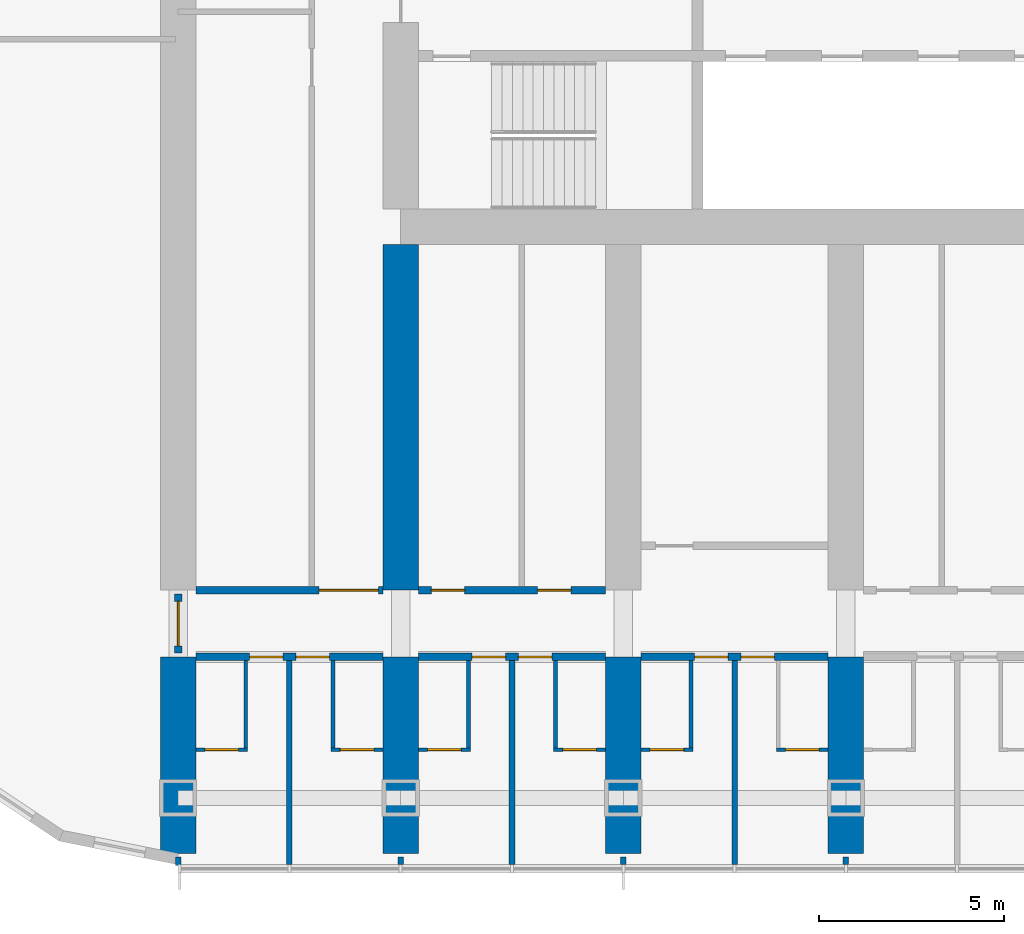
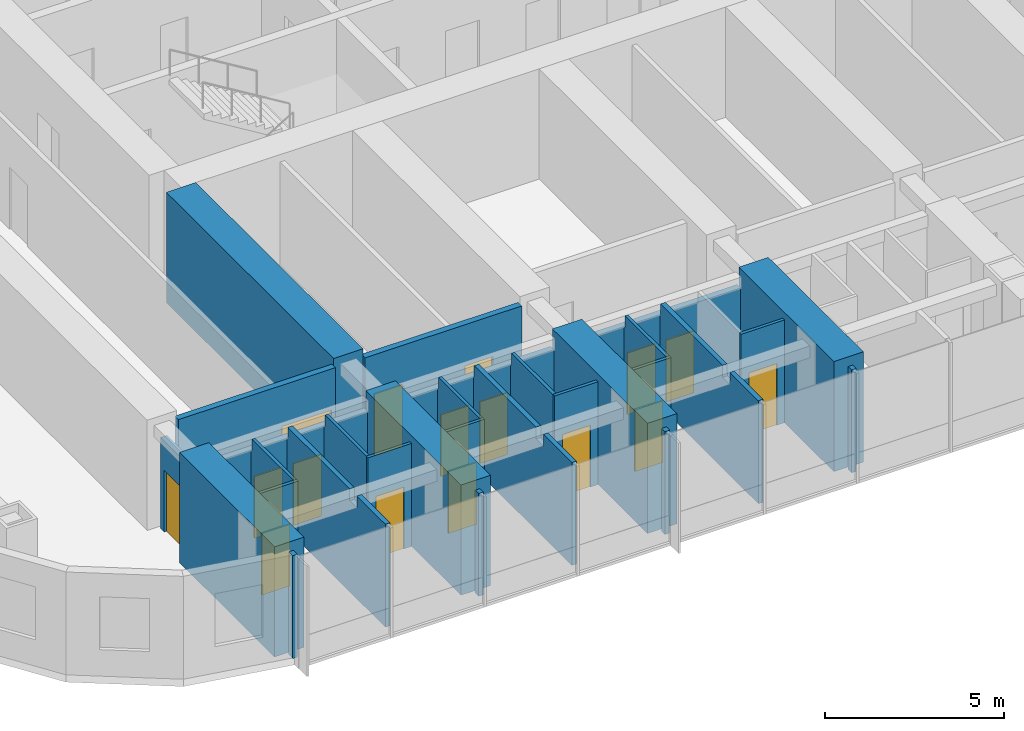
# One storey, part 8 of 21: 29 walls, 16 doors, 16 openings.
"""IFC4 building model written with IfcOpenShell, lengths in metres."""

from ifc_helpers import new_model, si_unit, direction, frame, frame_2d, origin, place, context, subcontext, project, spatial, polyline, rectangle, outline, extrude, material, layer, layer_set, type_object, element, fill, save


model = new_model("IFC4")

# Units and contexts
model_context = context("Model", 3, precision=1e-05, world=origin(), true_north=direction((0.0, 1.0)))
body_context = subcontext(model_context, "Body", "Model", "MODEL_VIEW")
ifc_project = project(units=[si_unit("LENGTHUNIT", "METRE"), si_unit("AREAUNIT", "SQUARE_METRE"), si_unit("VOLUMEUNIT", "CUBIC_METRE"), si_unit("PLANEANGLEUNIT", "RADIAN"), si_unit("MASSUNIT", "GRAM", prefix="KILO")], contexts=[model_context])

# Site, building, storey
site_placement = place(None, origin())
site = spatial("IfcSite", under=ifc_project, at=site_placement, CompositionType="ELEMENT")
building_placement = place(site_placement, origin())
building = spatial("IfcBuilding", under=site, at=building_placement, Name="Orbita Commons", CompositionType="ELEMENT")
storey_placement = place(building_placement, frame((0.0, 0.0, 88.14990234375)))
storey = spatial("IfcBuildingStorey", under=building, at=storey_placement, Name="L21", CompositionType="ELEMENT", Elevation=88.14990234375)

# Wall, openings, doors
ifc_material_1 = material(Name="Concrete blockwork", Category="masonry")
ifc_layer_1 = layer(ifc_material_1, 0.199951171875)
ifc_layer_set_1 = layer_set([ifc_layer_1], Name="Concrete blockwork")
wall_type_1 = type_object("IfcWallType", Name="Corridor wall 200 blockwork", PredefinedType="SOLIDWALL", material=ifc_layer_set_1)
wall_1_placement = place(storey_placement, frame((12.47509765625, 14.199951171875, 0.0), z_axis=(0.0, 0.0, 1.0), x_axis=(1.0, 0.0, 0.0)))
wall_1 = element("IfcWall", 1, at=wall_1_placement, inside=storey, type_object=wall_type_1, Name="Corridor wall 200 blockwork L21", PredefinedType="SOLIDWALL", context=body_context, shape_type="SweptSolid", body=[
    extrude(outline(polyline([(0.0, 0.0), (5.0498046875, 0.0), (5.050048828125, 3.10009765625), (0.0, 3.10009765625), (0.0, 0.0)])), frame((0.0, 0.10009765625, 0.0), z_axis=(0.0, -1.0, 0.0), x_axis=(1.0, 0.0, 0.0)), (0.0, 0.0, 1.0), 0.199951171875),
])
opening_1_placement = place(wall_1_placement, frame((1.449951171875, 0.0, 0.0)))
opening_1 = element("IfcOpeningElement", 2, at=opening_1_placement, cuts=wall_1, Name="Opening D11", PredefinedType="OPENING", context=body_context, shape_type="SweptSolid", body=[
    extrude(rectangle(XDim=0.89990234375, YDim=2.10009765625, at=frame_2d((0.449951171875, 1.050048828125))), frame((0.0, 0.10986328125, 0.0), z_axis=(0.0, -1.0, 0.0), x_axis=(1.0, 0.0, 0.0)), (0.0, 0.0, 1.0), 0.219970703125),
])
opening_2_placement = place(wall_1_placement, frame((2.699951171875, 0.0, 0.0)))
opening_2 = element("IfcOpeningElement", 3, at=opening_2_placement, cuts=wall_1, Name="Opening D11", PredefinedType="OPENING", context=body_context, shape_type="SweptSolid", body=[
    extrude(rectangle(XDim=0.89990234375, YDim=2.10009765625, at=frame_2d((0.449951171875, 1.050048828125))), frame((0.0, 0.10986328125, 0.0), z_axis=(0.0, -1.0, 0.0), x_axis=(1.0, 0.0, 0.0)), (0.0, 0.0, 1.0), 0.219970703125),
])
ifc_material_2 = material(Name="Steel-faced fire door leaf", Category="steel")
door_type_1 = type_object("IfcDoorType", Name="Corridor door 20 min 900x2100", OperationType="SINGLE_SWING_LEFT", PredefinedType="DOOR", material=ifc_material_2)
door_1_placement = place(opening_1_placement, origin())
door_1 = element("IfcDoor", 4, at=door_1_placement, inside=storey, type_object=door_type_1, Name="Cluster bedroom L21-S00 door", OperationType="SINGLE_SWING_LEFT", OverallHeight=2.10009765625, OverallWidth=0.89990234375, PredefinedType="DOOR", context=body_context, shape_type="SweptSolid", body=[
    extrude(rectangle(XDim=0.89990234375, YDim=2.10009765625, at=frame_2d((0.449951171875, 1.050048828125))), frame((0.0, 0.02490234375, 0.0), z_axis=(0.0, -1.0, 0.0), x_axis=(1.0, 0.0, 0.0)), (0.0, 0.0, 1.0), 0.050048828125),
])
fill(opening_1, door_1)
door_2_placement = place(opening_2_placement, origin())
door_2 = element("IfcDoor", 5, at=door_2_placement, inside=storey, type_object=door_type_1, Name="Cluster bedroom L21-S01 door", OperationType="SINGLE_SWING_LEFT", OverallHeight=2.10009765625, OverallWidth=0.89990234375, PredefinedType="DOOR", context=body_context, shape_type="SweptSolid", body=[
    extrude(rectangle(XDim=0.89990234375, YDim=2.10009765625, at=frame_2d((0.449951171875, 1.050048828125))), frame((0.0, 0.02490234375, 0.0), z_axis=(0.0, -1.0, 0.0), x_axis=(1.0, 0.0, 0.0)), (0.0, 0.0, 1.0), 0.050048828125),
])
fill(opening_2, door_2)

wall_2_placement = place(storey_placement, frame((18.47509765625, 14.199951171875, 0.0), z_axis=(0.0, 0.0, 1.0), x_axis=(1.0, 0.0, 0.0)))
wall_2 = element("IfcWall", 6, at=wall_2_placement, inside=storey, type_object=wall_type_1, Name="Corridor wall 200 blockwork L21", PredefinedType="SOLIDWALL", context=body_context, shape_type="SweptSolid", body=[
    extrude(outline(polyline([(0.0, 0.0), (5.0498046875, 0.0), (5.050048828125, 3.10009765625), (0.0, 3.10009765625), (0.0, 0.0)])), frame((0.0, 0.10009765625, 0.0), z_axis=(0.0, -1.0, 0.0), x_axis=(1.0, 0.0, 0.0)), (0.0, 0.0, 1.0), 0.199951171875),
])
opening_3_placement = place(wall_2_placement, frame((1.449951171875, 0.0, 0.0)))
opening_3 = element("IfcOpeningElement", 7, at=opening_3_placement, cuts=wall_2, Name="Opening D11", PredefinedType="OPENING", context=body_context, shape_type="SweptSolid", body=[
    extrude(rectangle(XDim=0.89990234375, YDim=2.10009765625, at=frame_2d((0.449951171875, 1.050048828125))), frame((0.0, 0.10986328125, 0.0), z_axis=(0.0, -1.0, 0.0), x_axis=(1.0, 0.0, 0.0)), (0.0, 0.0, 1.0), 0.219970703125),
])
opening_4_placement = place(wall_2_placement, frame((2.699951171875, 0.0, 0.0)))
opening_4 = element("IfcOpeningElement", 8, at=opening_4_placement, cuts=wall_2, Name="Opening D11", PredefinedType="OPENING", context=body_context, shape_type="SweptSolid", body=[
    extrude(rectangle(XDim=0.89990234375, YDim=2.10009765625, at=frame_2d((0.449951171875, 1.050048828125))), frame((0.0, 0.10986328125, 0.0), z_axis=(0.0, -1.0, 0.0), x_axis=(1.0, 0.0, 0.0)), (0.0, 0.0, 1.0), 0.219970703125),
])
door_3_placement = place(opening_3_placement, origin())
door_3 = element("IfcDoor", 9, at=door_3_placement, inside=storey, type_object=door_type_1, Name="Cluster bedroom L21-S02 door", OperationType="SINGLE_SWING_LEFT", OverallHeight=2.10009765625, OverallWidth=0.89990234375, PredefinedType="DOOR", context=body_context, shape_type="SweptSolid", body=[
    extrude(rectangle(XDim=0.89990234375, YDim=2.10009765625, at=frame_2d((0.449951171875, 1.050048828125))), frame((0.0, 0.02490234375, 0.0), z_axis=(0.0, -1.0, 0.0), x_axis=(1.0, 0.0, 0.0)), (0.0, 0.0, 1.0), 0.050048828125),
])
fill(opening_3, door_3)
door_4_placement = place(opening_4_placement, origin())
door_4 = element("IfcDoor", 10, at=door_4_placement, inside=storey, type_object=door_type_1, Name="Cluster bedroom L21-S03 door", OperationType="SINGLE_SWING_LEFT", OverallHeight=2.10009765625, OverallWidth=0.89990234375, PredefinedType="DOOR", context=body_context, shape_type="SweptSolid", body=[
    extrude(rectangle(XDim=0.89990234375, YDim=2.10009765625, at=frame_2d((0.449951171875, 1.050048828125))), frame((0.0, 0.02490234375, 0.0), z_axis=(0.0, -1.0, 0.0), x_axis=(1.0, 0.0, 0.0)), (0.0, 0.0, 1.0), 0.050048828125),
])
fill(opening_4, door_4)

wall_3_placement = place(storey_placement, frame((24.47509765625, 14.199951171875, 0.0), z_axis=(0.0, 0.0, 1.0), x_axis=(1.0, 0.0, 0.0)))
wall_3 = element("IfcWall", 11, at=wall_3_placement, inside=storey, type_object=wall_type_1, Name="Corridor wall 200 blockwork L21", PredefinedType="SOLIDWALL", context=body_context, shape_type="SweptSolid", body=[
    extrude(outline(polyline([(0.0, 0.0), (5.0498046875, 0.0), (5.050048828125, 3.10009765625), (0.0, 3.10009765625), (0.0, 0.0)])), frame((0.0, 0.10009765625, 0.0), z_axis=(0.0, -1.0, 0.0), x_axis=(1.0, 0.0, 0.0)), (0.0, 0.0, 1.0), 0.199951171875),
])
opening_5_placement = place(wall_3_placement, frame((1.449951171875, 0.0, 0.0)))
opening_5 = element("IfcOpeningElement", 12, at=opening_5_placement, cuts=wall_3, Name="Opening D11", PredefinedType="OPENING", context=body_context, shape_type="SweptSolid", body=[
    extrude(rectangle(XDim=0.89990234375, YDim=2.10009765625, at=frame_2d((0.449951171875, 1.050048828125))), frame((0.0, 0.10986328125, 0.0), z_axis=(0.0, -1.0, 0.0), x_axis=(1.0, 0.0, 0.0)), (0.0, 0.0, 1.0), 0.219970703125),
])
opening_6_placement = place(wall_3_placement, frame((2.699951171875, 0.0, 0.0)))
opening_6 = element("IfcOpeningElement", 13, at=opening_6_placement, cuts=wall_3, Name="Opening D11", PredefinedType="OPENING", context=body_context, shape_type="SweptSolid", body=[
    extrude(rectangle(XDim=0.89990234375, YDim=2.10009765625, at=frame_2d((0.449951171875, 1.050048828125))), frame((0.0, 0.10986328125, 0.0), z_axis=(0.0, -1.0, 0.0), x_axis=(1.0, 0.0, 0.0)), (0.0, 0.0, 1.0), 0.219970703125),
])
door_5_placement = place(opening_5_placement, origin())
door_5 = element("IfcDoor", 14, at=door_5_placement, inside=storey, type_object=door_type_1, Name="Cluster bedroom L21-S04 door", OperationType="SINGLE_SWING_LEFT", OverallHeight=2.10009765625, OverallWidth=0.89990234375, PredefinedType="DOOR", context=body_context, shape_type="SweptSolid", body=[
    extrude(rectangle(XDim=0.89990234375, YDim=2.10009765625, at=frame_2d((0.449951171875, 1.050048828125))), frame((0.0, 0.02490234375, 0.0), z_axis=(0.0, -1.0, 0.0), x_axis=(1.0, 0.0, 0.0)), (0.0, 0.0, 1.0), 0.050048828125),
])
fill(opening_5, door_5)
door_6_placement = place(opening_6_placement, origin())
door_6 = element("IfcDoor", 15, at=door_6_placement, inside=storey, type_object=door_type_1, Name="Cluster bedroom L21-S05 door", OperationType="SINGLE_SWING_LEFT", OverallHeight=2.10009765625, OverallWidth=0.89990234375, PredefinedType="DOOR", context=body_context, shape_type="SweptSolid", body=[
    extrude(rectangle(XDim=0.89990234375, YDim=2.10009765625, at=frame_2d((0.449951171875, 1.050048828125))), frame((0.0, 0.02490234375, 0.0), z_axis=(0.0, -1.0, 0.0), x_axis=(1.0, 0.0, 0.0)), (0.0, 0.0, 1.0), 0.050048828125),
])
fill(opening_6, door_6)

# Wall, opening, door
wall_4_placement = place(storey_placement, frame((12.0, 14.300048828125, 0.0), z_axis=(0.0, 0.0, 1.0), x_axis=(0.0, 1.0, 0.0)))
wall_4 = element("IfcWall", 16, at=wall_4_placement, inside=storey, type_object=wall_type_1, Name="Corridor wall 200 blockwork L21", PredefinedType="SOLIDWALL", context=body_context, shape_type="SweptSolid", body=[
    extrude(outline(polyline([(0.0, 0.0), (1.599853515625, 0.0), (1.60009765625, 3.10009765625), (0.0, 3.10009765625), (0.0, 0.0)])), frame((0.0, 0.10009765625, 0.0), z_axis=(0.0, -1.0, 0.0), x_axis=(1.0, 0.0, 0.0)), (0.0, 0.0, 1.0), 0.199951171875),
])
opening_7_placement = place(wall_4_placement, frame((0.199951171875, 0.0, 0.0)))
opening_7 = element("IfcOpeningElement", 17, at=opening_7_placement, cuts=wall_4, Name="Opening D12", PredefinedType="OPENING", context=body_context, shape_type="SweptSolid", body=[
    extrude(rectangle(XDim=1.199951171875, YDim=2.10009765625, at=frame_2d((0.60009765625, 1.050048828125))), frame((0.0, 0.10986328125, 0.0), z_axis=(0.0, -1.0, 0.0), x_axis=(1.0, 0.0, 0.0)), (0.0, 0.0, 1.0), 0.219970703125),
])
ifc_material_3 = material(Name="Steel-faced fire door leaf", Category="steel")
door_type_2 = type_object("IfcDoorType", Name="Double corridor door 20 min 1200x2100", OperationType="DOUBLE_DOOR_SINGLE_SWING", PredefinedType="DOOR", material=ifc_material_3)
door_7_placement = place(opening_7_placement, origin())
door_7 = element("IfcDoor", 18, at=door_7_placement, inside=storey, type_object=door_type_2, Name="Lounge doors", OperationType="DOUBLE_DOOR_SINGLE_SWING", OverallHeight=2.10009765625, OverallWidth=1.199951171875, PredefinedType="DOOR", context=body_context, shape_type="SweptSolid", body=[
    extrude(rectangle(XDim=1.199951171875, YDim=2.10009765625, at=frame_2d((0.60009765625, 1.050048828125))), frame((0.0, 0.02490234375, 0.0), z_axis=(0.0, -1.0, 0.0), x_axis=(1.0, 0.0, 0.0)), (0.0, 0.0, 1.0), 0.050048828125),
])
fill(opening_7, door_7)

ifc_material_4 = material(Name="Hollow concrete block 200", Category="concrete")
ifc_layer_2 = layer(ifc_material_4, 0.199951171875)
ifc_layer_set_2 = layer_set([ifc_layer_2], Name="Hollow concrete block 200")
wall_type_2 = type_object("IfcWallType", Name="Corridor wall 200 hollow concrete block", PredefinedType="SOLIDWALL", material=ifc_layer_set_2)
wall_5_placement = place(storey_placement, frame((12.47509765625, 16.0, 0.0), z_axis=(0.0, 0.0, 1.0), x_axis=(1.0, 0.0, 0.0)))
wall_5 = element("IfcWall", 19, at=wall_5_placement, inside=storey, type_object=wall_type_2, Name="Corridor wall 200 hollow concrete block L21", PredefinedType="SOLIDWALL", context=body_context, shape_type="SweptSolid", body=[
    extrude(rectangle(XDim=5.0498046875, YDim=0.199951171875, at=frame_2d((2.52490234375, 0.0))), origin(), (0.0, 0.0, 1.0), 3.5),
])
opening_8_placement = place(wall_5_placement, frame((3.324951171875, 0.0, 0.0)))
opening_8 = element("IfcOpeningElement", 20, at=opening_8_placement, cuts=wall_5, Name="Opening D10", PredefinedType="OPENING", context=body_context, shape_type="SweptSolid", body=[
    extrude(rectangle(XDim=1.60009765625, YDim=2.10009765625, at=frame_2d((0.800048828125, 1.050048828125))), frame((0.0, 0.10986328125, 0.0), z_axis=(0.0, -1.0, 0.0), x_axis=(1.0, 0.0, 0.0)), (0.0, 0.0, 1.0), 0.219970703125),
])
ifc_material_5 = material(Name="Steel-faced fire door leaf", Category="steel")
door_type_3 = type_object("IfcDoorType", Name="Double corridor door 20 min 1600x2100", OperationType="DOUBLE_DOOR_SINGLE_SWING", PredefinedType="DOOR", material=ifc_material_5)
door_8_placement = place(opening_8_placement, origin())
door_8 = element("IfcDoor", 21, at=door_8_placement, inside=storey, type_object=door_type_3, Name="Cross corridor doors", OperationType="DOUBLE_DOOR_SINGLE_SWING", OverallHeight=2.10009765625, OverallWidth=1.60009765625, PredefinedType="DOOR", context=body_context, shape_type="SweptSolid", body=[
    extrude(rectangle(XDim=1.60009765625, YDim=2.10009765625, at=frame_2d((0.800048828125, 1.050048828125))), frame((0.0, 0.02490234375, 0.0), z_axis=(0.0, -1.0, 0.0), x_axis=(1.0, 0.0, 0.0)), (0.0, 0.0, 1.0), 0.050048828125),
])
fill(opening_8, door_8)

# Wall, openings, doors
wall_6_placement = place(storey_placement, frame((18.47509765625, 16.0, 0.0), z_axis=(0.0, 0.0, 1.0), x_axis=(1.0, 0.0, 0.0)))
wall_6 = element("IfcWall", 22, at=wall_6_placement, inside=storey, type_object=wall_type_2, Name="Corridor wall 200 hollow concrete block L21", PredefinedType="SOLIDWALL", context=body_context, shape_type="SweptSolid", body=[
    extrude(rectangle(XDim=5.0498046875, YDim=0.199951171875, at=frame_2d((2.52490234375, 0.0))), origin(), (0.0, 0.0, 1.0), 3.5),
])
opening_9_placement = place(wall_6_placement, frame((0.35009765625, 0.0, 0.0)))
opening_9 = element("IfcOpeningElement", 23, at=opening_9_placement, cuts=wall_6, Name="Opening D11", PredefinedType="OPENING", context=body_context, shape_type="SweptSolid", body=[
    extrude(rectangle(XDim=0.89990234375, YDim=2.10009765625, at=frame_2d((0.449951171875, 1.050048828125))), frame((0.0, 0.10986328125, 0.0), z_axis=(0.0, -1.0, 0.0), x_axis=(1.0, 0.0, 0.0)), (0.0, 0.0, 1.0), 0.219970703125),
])
opening_10_placement = place(wall_6_placement, frame((3.215087890625, 0.0, 0.0)))
opening_10 = element("IfcOpeningElement", 24, at=opening_10_placement, cuts=wall_6, Name="Opening D11", PredefinedType="OPENING", context=body_context, shape_type="SweptSolid", body=[
    extrude(rectangle(XDim=0.89990234375, YDim=2.10009765625, at=frame_2d((0.449951171875, 1.050048828125))), frame((0.0, 0.10986328125, 0.0), z_axis=(0.0, -1.0, 0.0), x_axis=(1.0, 0.0, 0.0)), (0.0, 0.0, 1.0), 0.219970703125),
])
door_9_placement = place(opening_9_placement, origin())
door_9 = element("IfcDoor", 25, at=door_9_placement, inside=storey, type_object=door_type_1, Name="Meeting room L21-BDS18 door", OperationType="SINGLE_SWING_LEFT", OverallHeight=2.10009765625, OverallWidth=0.89990234375, PredefinedType="DOOR", context=body_context, shape_type="SweptSolid", body=[
    extrude(rectangle(XDim=0.89990234375, YDim=2.10009765625, at=frame_2d((0.449951171875, 1.050048828125))), frame((0.0, 0.02490234375, 0.0), z_axis=(0.0, -1.0, 0.0), x_axis=(1.0, 0.0, 0.0)), (0.0, 0.0, 1.0), 0.050048828125),
])
fill(opening_9, door_9)
door_10_placement = place(opening_10_placement, origin())
door_10 = element("IfcDoor", 26, at=door_10_placement, inside=storey, type_object=door_type_1, Name="Accessible WC and shower room L21-BDS18n door", OperationType="SINGLE_SWING_LEFT", OverallHeight=2.10009765625, OverallWidth=0.89990234375, PredefinedType="DOOR", context=body_context, shape_type="SweptSolid", body=[
    extrude(rectangle(XDim=0.89990234375, YDim=2.10009765625, at=frame_2d((0.449951171875, 1.050048828125))), frame((0.0, 0.02490234375, 0.0), z_axis=(0.0, -1.0, 0.0), x_axis=(1.0, 0.0, 0.0)), (0.0, 0.0, 1.0), 0.050048828125),
])
fill(opening_10, door_10)

# Walls
ifc_material_6 = material(Name="Concrete C50/60", Category="concrete")
ifc_layer_3 = layer(ifc_material_6, 0.949951171875)
ifc_layer_set_3 = layer_set([ifc_layer_3], Name="Concrete C50/60")
wall_type_3 = type_object("IfcWallType", Name="Cross wall 950 C50/60", PredefinedType="SHEAR", material=ifc_layer_set_3)
for number, where, z_axis, x_axis, name in (
    (27, (12.0, 8.89990234375, 0.0), (0.0, 0.0, 1.0), (0.0, 1.0, 0.0), "Cross wall 3 south outer L21"),
    (28, (18.0, 8.89990234375, 0.0), (0.0, 0.0, 1.0), (0.0, 1.0, 0.0), "Cross wall 4 south outer L21"),
):
    element("IfcWall", number, at=place(storey_placement, frame(where, z_axis=z_axis, x_axis=x_axis)), inside=storey, type_object=wall_type_3, Name=name, PredefinedType="SHEAR", context=body_context, shape_type="SweptSolid", body=[
        extrude(rectangle(XDim=5.300048828125, YDim=0.949951171875, at=frame_2d((2.64990234375, 0.0))), origin(), (0.0, 0.0, 1.0), 3.75),
    ])
wall_7_placement = place(storey_placement, frame((18.0, 16.0, 0.0), z_axis=(0.0, 0.0, 1.0), x_axis=(0.0, 1.0, 0.0)))
element("IfcWall", 29, at=wall_7_placement, inside=storey, type_object=wall_type_3, Name="Cross wall 4 south inner L21", PredefinedType="SHEAR", context=body_context, shape_type="SweptSolid", body=[
    extrude(rectangle(XDim=9.324951171875, YDim=0.949951171875, at=frame_2d((4.66259765625, 0.0))), origin(), (0.0, 0.0, 1.0), 3.75),
])
for number, where, z_axis, x_axis, name in (
    (30, (24.0, 8.89990234375, 0.0), (0.0, 0.0, 1.0), (0.0, 1.0, 0.0), "Cross wall 5 south outer L21"),
    (31, (30.0, 8.89990234375, 0.0), (0.0, 0.0, 1.0), (0.0, 1.0, 0.0), "Cross wall 6 south outer L21"),
):
    element("IfcWall", number, at=place(storey_placement, frame(where, z_axis=z_axis, x_axis=x_axis)), inside=storey, type_object=wall_type_3, Name=name, PredefinedType="SHEAR", context=body_context, shape_type="SweptSolid", body=[
        extrude(rectangle(XDim=5.300048828125, YDim=0.949951171875, at=frame_2d((2.64990234375, 0.0))), origin(), (0.0, 0.0, 1.0), 3.75),
    ])

# Wall, opening, door
ifc_material_7 = material(Name="Moisture-resistant plasterboard on steel studs", Category="steel")
ifc_layer_4 = layer(ifc_material_7, 0.10009765625)
ifc_layer_set_4 = layer_set([ifc_layer_4], Name="Moisture-resistant plasterboard on steel studs")
wall_type_4 = type_object("IfcWallType", Name="En-suite partition 100", PredefinedType="PARTITIONING", material=ifc_layer_set_4)
wall_8_placement = place(storey_placement, frame((13.875, 11.699951171875, 0.0), z_axis=(0.0, 0.0, 1.0), x_axis=(-1.0, 0.0, 0.0)))
wall_8 = element("IfcWall", 32, at=wall_8_placement, inside=storey, type_object=wall_type_4, Name="En-suite partition 100 L21", PredefinedType="PARTITIONING", context=body_context, shape_type="SweptSolid", body=[
    extrude(rectangle(XDim=1.39990234375, YDim=0.10009765625, at=frame_2d((0.699951171875, 0.0))), origin(), (0.0, 0.0, 1.0), 3.5),
])
opening_11_placement = place(wall_8_placement, frame((0.25, 0.0, 0.0)))
opening_11 = element("IfcOpeningElement", 33, at=opening_11_placement, cuts=wall_8, Name="Opening D09", PredefinedType="OPENING", context=body_context, shape_type="SweptSolid", body=[
    extrude(rectangle(XDim=0.89990234375, YDim=2.10009765625, at=frame_2d((0.449951171875, 1.050048828125))), frame((0.0, 0.06005859375, 0.0), z_axis=(0.0, -1.0, 0.0), x_axis=(1.0, 0.0, 0.0)), (0.0, 0.0, 1.0), 0.1201171875),
])
ifc_material_8 = material(Name="Laminated timber door leaf", Category="wood")
door_type_4 = type_object("IfcDoorType", Name="En-suite door 900x2100", OperationType="SINGLE_SWING_RIGHT", PredefinedType="DOOR", material=ifc_material_8)
door_11_placement = place(opening_11_placement, origin())
door_11 = element("IfcDoor", 34, at=door_11_placement, inside=storey, type_object=door_type_4, Name="En-suite L21-S00 door", OperationType="SINGLE_SWING_RIGHT", OverallHeight=2.10009765625, OverallWidth=0.89990234375, PredefinedType="DOOR", context=body_context, shape_type="SweptSolid", body=[
    extrude(rectangle(XDim=0.89990234375, YDim=2.10009765625, at=frame_2d((0.449951171875, 1.050048828125))), frame((0.0, 0.02490234375, 0.0), z_axis=(0.0, -1.0, 0.0), x_axis=(1.0, 0.0, 0.0)), (0.0, 0.0, 1.0), 0.050048828125),
])
fill(opening_11, door_11)

# Wall
wall_9_placement = place(storey_placement, frame((13.824951171875, 11.75, 0.0), z_axis=(0.0, 0.0, 1.0), x_axis=(0.0, 1.0, 0.0)))
element("IfcWall", 35, at=wall_9_placement, inside=storey, type_object=wall_type_4, Name="En-suite partition 100 L21", PredefinedType="PARTITIONING", context=body_context, shape_type="SweptSolid", body=[
    extrude(outline(polyline([(0.0, 0.0), (2.35009765625, 0.0), (2.35009765625, 3.10009765625), (2.302001953125, 3.10009765625), (2.300048828125, 3.5), (0.0, 3.5), (0.0, 0.0)])), frame((0.0, 0.050048828125, 0.0), z_axis=(0.0, -1.0, 0.0), x_axis=(1.0, 0.0, 0.0)), (0.0, 0.0, 1.0), 0.10009765625),
])

# Wall, opening, door
wall_10_placement = place(storey_placement, frame((17.52490234375, 11.699951171875, 0.0), z_axis=(0.0, 0.0, 1.0), x_axis=(-1.0, 0.0, 0.0)))
wall_10 = element("IfcWall", 36, at=wall_10_placement, inside=storey, type_object=wall_type_4, Name="En-suite partition 100 L21", PredefinedType="PARTITIONING", context=body_context, shape_type="SweptSolid", body=[
    extrude(rectangle(XDim=1.39990234375, YDim=0.10009765625, at=frame_2d((0.699951171875, 0.0))), origin(), (0.0, 0.0, 1.0), 3.5),
])
opening_12_placement = place(wall_10_placement, frame((0.25, 0.0, 0.0)))
opening_12 = element("IfcOpeningElement", 37, at=opening_12_placement, cuts=wall_10, Name="Opening D09", PredefinedType="OPENING", context=body_context, shape_type="SweptSolid", body=[
    extrude(rectangle(XDim=0.89990234375, YDim=2.10009765625, at=frame_2d((0.449951171875, 1.050048828125))), frame((0.0, 0.06005859375, 0.0), z_axis=(0.0, -1.0, 0.0), x_axis=(1.0, 0.0, 0.0)), (0.0, 0.0, 1.0), 0.1201171875),
])
door_12_placement = place(opening_12_placement, origin())
door_12 = element("IfcDoor", 38, at=door_12_placement, inside=storey, type_object=door_type_4, Name="En-suite L21-S01 door", OperationType="SINGLE_SWING_RIGHT", OverallHeight=2.10009765625, OverallWidth=0.89990234375, PredefinedType="DOOR", context=body_context, shape_type="SweptSolid", body=[
    extrude(rectangle(XDim=0.89990234375, YDim=2.10009765625, at=frame_2d((0.449951171875, 1.050048828125))), frame((0.0, 0.02490234375, 0.0), z_axis=(0.0, -1.0, 0.0), x_axis=(1.0, 0.0, 0.0)), (0.0, 0.0, 1.0), 0.050048828125),
])
fill(opening_12, door_12)

# Wall
wall_11_placement = place(storey_placement, frame((16.175048828125, 11.75, 0.0), z_axis=(0.0, 0.0, 1.0), x_axis=(0.0, 1.0, 0.0)))
element("IfcWall", 39, at=wall_11_placement, inside=storey, type_object=wall_type_4, Name="En-suite partition 100 L21", PredefinedType="PARTITIONING", context=body_context, shape_type="SweptSolid", body=[
    extrude(outline(polyline([(0.0, 0.0), (2.35009765625, 0.0), (2.35009765625, 3.10009765625), (2.302001953125, 3.10009765625), (2.300048828125, 3.5), (0.0, 3.5), (0.0, 0.0)])), frame((0.0, 0.050048828125, 0.0), z_axis=(0.0, -1.0, 0.0), x_axis=(1.0, 0.0, 0.0)), (0.0, 0.0, 1.0), 0.10009765625),
])

# Wall, opening, door
wall_12_placement = place(storey_placement, frame((19.875, 11.699951171875, 0.0), z_axis=(0.0, 0.0, 1.0), x_axis=(-1.0, 0.0, 0.0)))
wall_12 = element("IfcWall", 40, at=wall_12_placement, inside=storey, type_object=wall_type_4, Name="En-suite partition 100 L21", PredefinedType="PARTITIONING", context=body_context, shape_type="SweptSolid", body=[
    extrude(rectangle(XDim=1.39990234375, YDim=0.10009765625, at=frame_2d((0.699951171875, 0.0))), origin(), (0.0, 0.0, 1.0), 3.5),
])
opening_13_placement = place(wall_12_placement, frame((0.25, 0.0, 0.0)))
opening_13 = element("IfcOpeningElement", 41, at=opening_13_placement, cuts=wall_12, Name="Opening D09", PredefinedType="OPENING", context=body_context, shape_type="SweptSolid", body=[
    extrude(rectangle(XDim=0.89990234375, YDim=2.10009765625, at=frame_2d((0.449951171875, 1.050048828125))), frame((0.0, 0.06005859375, 0.0), z_axis=(0.0, -1.0, 0.0), x_axis=(1.0, 0.0, 0.0)), (0.0, 0.0, 1.0), 0.1201171875),
])
door_13_placement = place(opening_13_placement, origin())
door_13 = element("IfcDoor", 42, at=door_13_placement, inside=storey, type_object=door_type_4, Name="En-suite L21-S02 door", OperationType="SINGLE_SWING_RIGHT", OverallHeight=2.10009765625, OverallWidth=0.89990234375, PredefinedType="DOOR", context=body_context, shape_type="SweptSolid", body=[
    extrude(rectangle(XDim=0.89990234375, YDim=2.10009765625, at=frame_2d((0.449951171875, 1.050048828125))), frame((0.0, 0.02490234375, 0.0), z_axis=(0.0, -1.0, 0.0), x_axis=(1.0, 0.0, 0.0)), (0.0, 0.0, 1.0), 0.050048828125),
])
fill(opening_13, door_13)

# Wall
wall_13_placement = place(storey_placement, frame((19.824951171875, 11.75, 0.0), z_axis=(0.0, 0.0, 1.0), x_axis=(0.0, 1.0, 0.0)))
element("IfcWall", 43, at=wall_13_placement, inside=storey, type_object=wall_type_4, Name="En-suite partition 100 L21", PredefinedType="PARTITIONING", context=body_context, shape_type="SweptSolid", body=[
    extrude(outline(polyline([(0.0, 0.0), (2.35009765625, 0.0), (2.35009765625, 3.10009765625), (2.302001953125, 3.10009765625), (2.300048828125, 3.5), (0.0, 3.5), (0.0, 0.0)])), frame((0.0, 0.050048828125, 0.0), z_axis=(0.0, -1.0, 0.0), x_axis=(1.0, 0.0, 0.0)), (0.0, 0.0, 1.0), 0.10009765625),
])

# Wall, opening, door
wall_14_placement = place(storey_placement, frame((23.52490234375, 11.699951171875, 0.0), z_axis=(0.0, 0.0, 1.0), x_axis=(-1.0, 0.0, 0.0)))
wall_14 = element("IfcWall", 44, at=wall_14_placement, inside=storey, type_object=wall_type_4, Name="En-suite partition 100 L21", PredefinedType="PARTITIONING", context=body_context, shape_type="SweptSolid", body=[
    extrude(rectangle(XDim=1.39990234375, YDim=0.10009765625, at=frame_2d((0.699951171875, 0.0))), origin(), (0.0, 0.0, 1.0), 3.5),
])
opening_14_placement = place(wall_14_placement, frame((0.25, 0.0, 0.0)))
opening_14 = element("IfcOpeningElement", 45, at=opening_14_placement, cuts=wall_14, Name="Opening D09", PredefinedType="OPENING", context=body_context, shape_type="SweptSolid", body=[
    extrude(rectangle(XDim=0.89990234375, YDim=2.10009765625, at=frame_2d((0.449951171875, 1.050048828125))), frame((0.0, 0.06005859375, 0.0), z_axis=(0.0, -1.0, 0.0), x_axis=(1.0, 0.0, 0.0)), (0.0, 0.0, 1.0), 0.1201171875),
])
door_14_placement = place(opening_14_placement, origin())
door_14 = element("IfcDoor", 46, at=door_14_placement, inside=storey, type_object=door_type_4, Name="En-suite L21-S03 door", OperationType="SINGLE_SWING_RIGHT", OverallHeight=2.10009765625, OverallWidth=0.89990234375, PredefinedType="DOOR", context=body_context, shape_type="SweptSolid", body=[
    extrude(rectangle(XDim=0.89990234375, YDim=2.10009765625, at=frame_2d((0.449951171875, 1.050048828125))), frame((0.0, 0.02490234375, 0.0), z_axis=(0.0, -1.0, 0.0), x_axis=(1.0, 0.0, 0.0)), (0.0, 0.0, 1.0), 0.050048828125),
])
fill(opening_14, door_14)

# Wall
wall_15_placement = place(storey_placement, frame((22.175048828125, 11.75, 0.0), z_axis=(0.0, 0.0, 1.0), x_axis=(0.0, 1.0, 0.0)))
element("IfcWall", 47, at=wall_15_placement, inside=storey, type_object=wall_type_4, Name="En-suite partition 100 L21", PredefinedType="PARTITIONING", context=body_context, shape_type="SweptSolid", body=[
    extrude(outline(polyline([(0.0, 0.0), (2.35009765625, 0.0), (2.35009765625, 3.10009765625), (2.302001953125, 3.10009765625), (2.300048828125, 3.5), (0.0, 3.5), (0.0, 0.0)])), frame((0.0, 0.050048828125, 0.0), z_axis=(0.0, -1.0, 0.0), x_axis=(1.0, 0.0, 0.0)), (0.0, 0.0, 1.0), 0.10009765625),
])

# Wall, opening, door
wall_16_placement = place(storey_placement, frame((25.875, 11.699951171875, 0.0), z_axis=(0.0, 0.0, 1.0), x_axis=(-1.0, 0.0, 0.0)))
wall_16 = element("IfcWall", 48, at=wall_16_placement, inside=storey, type_object=wall_type_4, Name="En-suite partition 100 L21", PredefinedType="PARTITIONING", context=body_context, shape_type="SweptSolid", body=[
    extrude(rectangle(XDim=1.39990234375, YDim=0.10009765625, at=frame_2d((0.699951171875, 0.0))), origin(), (0.0, 0.0, 1.0), 3.5),
])
opening_15_placement = place(wall_16_placement, frame((0.25, 0.0, 0.0)))
opening_15 = element("IfcOpeningElement", 49, at=opening_15_placement, cuts=wall_16, Name="Opening D09", PredefinedType="OPENING", context=body_context, shape_type="SweptSolid", body=[
    extrude(rectangle(XDim=0.89990234375, YDim=2.10009765625, at=frame_2d((0.449951171875, 1.050048828125))), frame((0.0, 0.06005859375, 0.0), z_axis=(0.0, -1.0, 0.0), x_axis=(1.0, 0.0, 0.0)), (0.0, 0.0, 1.0), 0.1201171875),
])
door_15_placement = place(opening_15_placement, origin())
door_15 = element("IfcDoor", 50, at=door_15_placement, inside=storey, type_object=door_type_4, Name="En-suite L21-S04 door", OperationType="SINGLE_SWING_RIGHT", OverallHeight=2.10009765625, OverallWidth=0.89990234375, PredefinedType="DOOR", context=body_context, shape_type="SweptSolid", body=[
    extrude(rectangle(XDim=0.89990234375, YDim=2.10009765625, at=frame_2d((0.449951171875, 1.050048828125))), frame((0.0, 0.02490234375, 0.0), z_axis=(0.0, -1.0, 0.0), x_axis=(1.0, 0.0, 0.0)), (0.0, 0.0, 1.0), 0.050048828125),
])
fill(opening_15, door_15)

# Wall
wall_17_placement = place(storey_placement, frame((25.824951171875, 11.75, 0.0), z_axis=(0.0, 0.0, 1.0), x_axis=(0.0, 1.0, 0.0)))
element("IfcWall", 51, at=wall_17_placement, inside=storey, type_object=wall_type_4, Name="En-suite partition 100 L21", PredefinedType="PARTITIONING", context=body_context, shape_type="SweptSolid", body=[
    extrude(outline(polyline([(0.0, 0.0), (2.35009765625, 0.0), (2.35009765625, 3.10009765625), (2.302001953125, 3.10009765625), (2.300048828125, 3.5), (0.0, 3.5), (0.0, 0.0)])), frame((0.0, 0.050048828125, 0.0), z_axis=(0.0, -1.0, 0.0), x_axis=(1.0, 0.0, 0.0)), (0.0, 0.0, 1.0), 0.10009765625),
])

# Wall, opening, door
wall_18_placement = place(storey_placement, frame((29.52490234375, 11.699951171875, 0.0), z_axis=(0.0, 0.0, 1.0), x_axis=(-1.0, 0.0, 0.0)))
wall_18 = element("IfcWall", 52, at=wall_18_placement, inside=storey, type_object=wall_type_4, Name="En-suite partition 100 L21", PredefinedType="PARTITIONING", context=body_context, shape_type="SweptSolid", body=[
    extrude(rectangle(XDim=1.39990234375, YDim=0.10009765625, at=frame_2d((0.699951171875, 0.0))), origin(), (0.0, 0.0, 1.0), 3.5),
])
opening_16_placement = place(wall_18_placement, frame((0.25, 0.0, 0.0)))
opening_16 = element("IfcOpeningElement", 53, at=opening_16_placement, cuts=wall_18, Name="Opening D09", PredefinedType="OPENING", context=body_context, shape_type="SweptSolid", body=[
    extrude(rectangle(XDim=0.89990234375, YDim=2.10009765625, at=frame_2d((0.449951171875, 1.050048828125))), frame((0.0, 0.06005859375, 0.0), z_axis=(0.0, -1.0, 0.0), x_axis=(1.0, 0.0, 0.0)), (0.0, 0.0, 1.0), 0.1201171875),
])
door_16_placement = place(opening_16_placement, origin())
door_16 = element("IfcDoor", 54, at=door_16_placement, inside=storey, type_object=door_type_4, Name="En-suite L21-S05 door", OperationType="SINGLE_SWING_RIGHT", OverallHeight=2.10009765625, OverallWidth=0.89990234375, PredefinedType="DOOR", context=body_context, shape_type="SweptSolid", body=[
    extrude(rectangle(XDim=0.89990234375, YDim=2.10009765625, at=frame_2d((0.449951171875, 1.050048828125))), frame((0.0, 0.02490234375, 0.0), z_axis=(0.0, -1.0, 0.0), x_axis=(1.0, 0.0, 0.0)), (0.0, 0.0, 1.0), 0.050048828125),
])
fill(opening_16, door_16)

# Walls
ifc_material_9 = material(Name="Gypsum plasterboard on steel studs", Category="steel")
ifc_layer_5 = layer(ifc_material_9, 0.14990234375)
ifc_layer_set_5 = layer_set([ifc_layer_5], Name="Gypsum plasterboard on steel studs")
wall_type_5 = type_object("IfcWallType", Name="Partition 150 plasterboard", PredefinedType="PARTITIONING", material=ifc_layer_set_5)
wall_19_placement = place(storey_placement, frame((12.0, 8.800048828125, 0.0), z_axis=(0.0, 0.0, 1.0), x_axis=(0.0, -1.0, 0.0)))
element("IfcWall", 55, at=wall_19_placement, inside=storey, type_object=wall_type_5, Name="Partition 150 plasterboard L21", PredefinedType="PARTITIONING", context=body_context, shape_type="SweptSolid", body=[
    extrude(rectangle(XDim=0.219970703125, YDim=0.14990234375, at=frame_2d((0.10986328125, 0.0))), origin(), (0.0, 0.0, 1.0), 3.5),
])
for number, where, z_axis, x_axis, name in (
    (56, (18.0, 8.800048828125, 0.0), (0.0, 0.0, 1.0), (0.0, -1.0, 0.0), "Partition 150 plasterboard L21"),
    (57, (24.0, 8.800048828125, 0.0), (0.0, 0.0, 1.0), (0.0, -1.0, 0.0), "Partition 150 plasterboard L21"),
    (58, (30.0, 8.800048828125, 0.0), (0.0, 0.0, 1.0), (0.0, -1.0, 0.0), "Partition 150 plasterboard L21"),
):
    element("IfcWall", number, at=place(storey_placement, frame(where, z_axis=z_axis, x_axis=x_axis)), inside=storey, type_object=wall_type_5, Name=name, PredefinedType="PARTITIONING", context=body_context, shape_type="SweptSolid", body=[
        extrude(rectangle(XDim=0.18994140625, YDim=0.14990234375, at=frame_2d((0.094970703125, 0.0))), origin(), (0.0, 0.0, 1.0), 3.5),
    ])
ifc_material_10 = material(Name="Gypsum plasterboard on steel studs", Category="steel")
ifc_layer_6 = layer(ifc_material_10, 0.14990234375)
ifc_layer_set_6 = layer_set([ifc_layer_6], Name="Gypsum plasterboard on steel studs")
wall_type_6 = type_object("IfcWallType", Name="Party wall 150 plasterboard", PredefinedType="PARTITIONING", material=ifc_layer_set_6)
for number, where, z_axis, x_axis, name in (
    (59, (15.0, 8.610107421875, 0.0), (0.0, 0.0, 1.0), (0.0, 1.0, 0.0), "Party wall 150 plasterboard L21"),
    (60, (21.0, 8.610107421875, 0.0), (0.0, 0.0, 1.0), (0.0, 1.0, 0.0), "Party wall 150 plasterboard L21"),
    (61, (27.0, 8.610107421875, 0.0), (0.0, 0.0, 1.0), (0.0, 1.0, 0.0), "Party wall 150 plasterboard L21"),
):
    element("IfcWall", number, at=place(storey_placement, frame(where, z_axis=z_axis, x_axis=x_axis)), inside=storey, type_object=wall_type_6, Name=name, PredefinedType="PARTITIONING", context=body_context, shape_type="SweptSolid", body=[
        extrude(outline(polyline([(0.0, 0.0), (5.489990234375, 0.0), (5.489990234375, 3.10009765625), (5.44189453125, 3.10009765625), (5.43994140625, 3.5), (1.991943359375, 3.5), (1.989990234375, 3.10009765625), (1.592041015625, 3.10009765625), (1.590087890625, 3.5), (0.0, 3.5), (0.0, 0.0)])), frame((0.0, 0.074951171875, 0.0), z_axis=(0.0, -1.0, 0.0), x_axis=(1.0, 0.0, 0.0)), (0.0, 0.0, 1.0), 0.14990234375),
    ])

save(model, "model.ifc")
